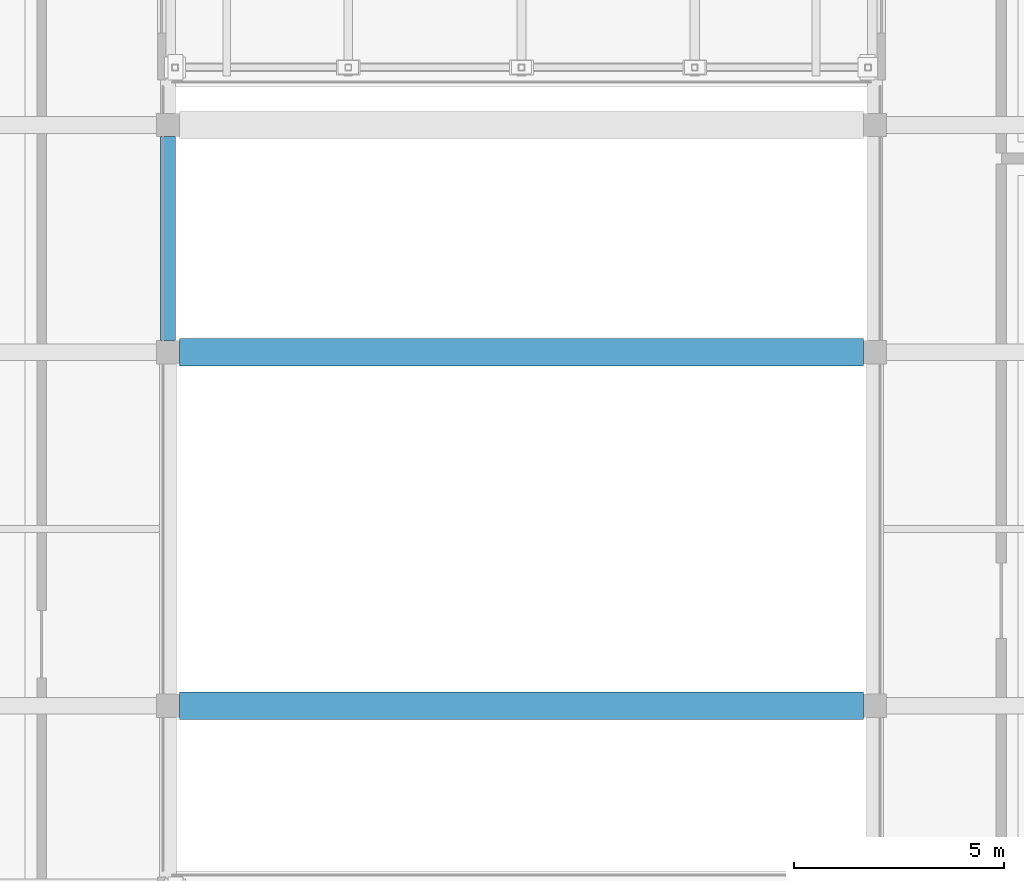
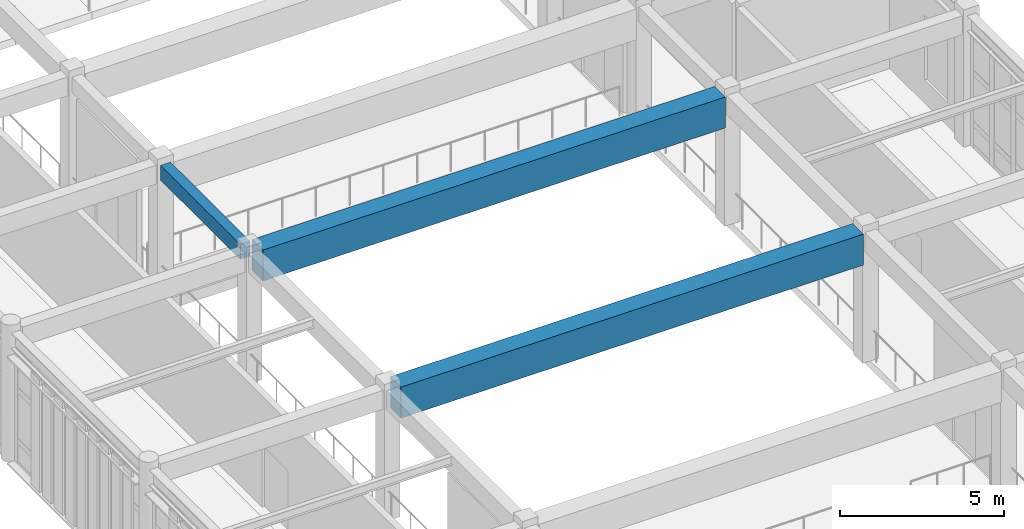
# One storey, part 24 of 77: 3 beams.
"""IFC4 building model written with IfcOpenShell, lengths in metres."""

from ifc_helpers import new_model, si_unit, direction, frame, origin, origin_2d, place, context, subcontext, project, spatial, rectangle, extrude, material, material_profile, profile_set, type_object, element, save


model = new_model("IFC4")

# Units and contexts
model_context = context("Model", 3, precision=1e-05, world=origin(), true_north=direction((0.0, 1.0)))
body_context = subcontext(model_context, "Body", "Model", "MODEL_VIEW")
ifc_project = project(units=[si_unit("LENGTHUNIT", "METRE"), si_unit("AREAUNIT", "SQUARE_METRE"), si_unit("VOLUMEUNIT", "CUBIC_METRE"), si_unit("PLANEANGLEUNIT", "RADIAN"), si_unit("MASSUNIT", "GRAM", prefix="KILO")], contexts=[model_context])

# Site, building, storey
site_placement = place(None, origin())
site = spatial("IfcSite", under=ifc_project, at=site_placement, CompositionType="ELEMENT")
building_placement = place(site_placement, origin())
building = spatial("IfcBuilding", under=site, at=building_placement, Name="Krzemoval Escarpment Law Courts", CompositionType="ELEMENT")
storey_placement = place(building_placement, frame((0.0, 0.0, 15.300048828125)))
storey = spatial("IfcBuildingStorey", under=building, at=storey_placement, Name="L03", CompositionType="ELEMENT", Elevation=15.300048828125)

# Beams
ifc_material_1 = material(Name="Concrete C50/60", Category="concrete")
ifc_material_profile_1 = material_profile(ifc_material_1, rectangle(XDim=0.64990234375, YDim=1.14990234375, at=origin_2d()), Name="PTG 650x1150")
ifc_profile_set_1 = profile_set([ifc_material_profile_1], Name="Concrete C50/60")
beam_type_1 = type_object("IfcBeamType", Name="BM-PTG-650x1150", PredefinedType="BEAM", material=ifc_profile_set_1)
for number, where, z_axis, x_axis, name in (
    (1, (17.074951171875, 66.0, 4.264892578125), (1.0, 0.0, 0.0), (0.0, 1.0, 0.0), "Beam FG-L03-2161"),
    (2, (17.074951171875, 74.39990234375, 4.264892578125), (1.0, 0.0, 0.0), (0.0, 1.0, 0.0), "Beam FG-L03-2164"),
):
    element("IfcBeam", number, at=place(storey_placement, frame(where, z_axis=z_axis, x_axis=x_axis)), inside=storey, type_object=beam_type_1, Name=name, PredefinedType="BEAM", context=body_context, shape_type="SweptSolid", body=[
        extrude(rectangle(XDim=0.64990234375, YDim=1.14990234375, at=origin_2d()), origin(), (0.0, 0.0, 1.0), 16.25),
    ])
ifc_material_2 = material(Name="Concrete C40/50", Category="concrete")
ifc_material_profile_2 = material_profile(ifc_material_2, rectangle(XDim=0.35009765625, YDim=0.550048828125, at=origin_2d()), Name="RCB 350x550")
ifc_profile_set_2 = profile_set([ifc_material_profile_2], Name="Concrete C40/50")
beam_type_2 = type_object("IfcBeamType", Name="BM-RC-350x550", PredefinedType="BEAM", material=ifc_profile_set_2)
beam_placement = place(storey_placement, frame((16.800048828125, 74.675048828125, 4.56494140625), z_axis=(0.0, 1.0, 0.0), x_axis=(-1.0, 0.0, 0.0)))
element("IfcBeam", 3, at=beam_placement, inside=storey, type_object=beam_type_2, Name="Beam FG-L03-2236", PredefinedType="BEAM", context=body_context, shape_type="SweptSolid", body=[
    extrude(rectangle(XDim=0.35009765625, YDim=0.550048828125, at=origin_2d()), origin(), (0.0, 0.0, 1.0), 4.849853515625),
])

save(model, "model.ifc")
